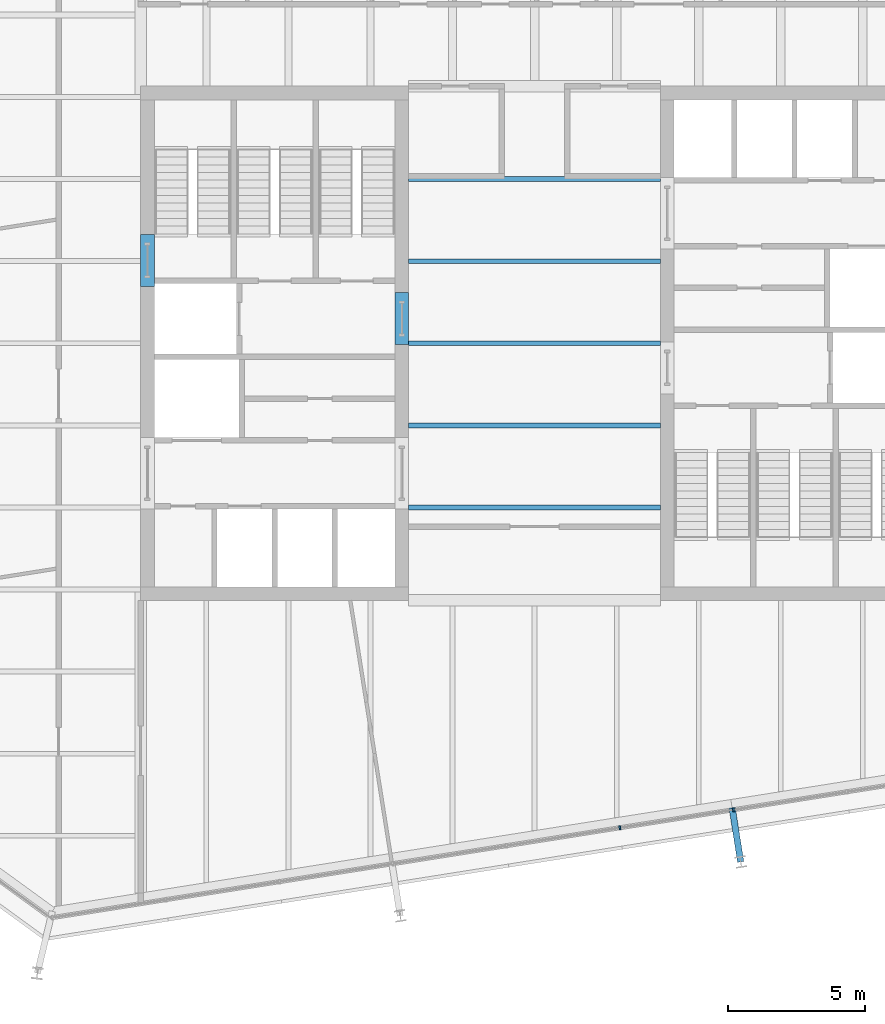
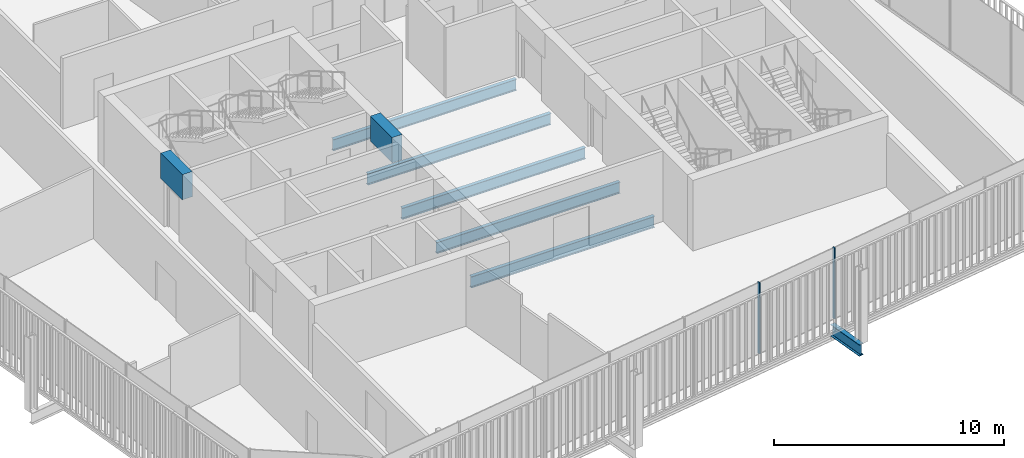
# One storey, part 7 of 20: 8 beams, 2 members, 1 element without a shape of its own.
"""IFC4 building model written with IfcOpenShell, lengths in metres."""

from ifc_helpers import new_model, si_unit, direction, frame, origin, origin_2d, place, context, subcontext, project, spatial, rectangle, i_section, extrude, material, layer, layer_set, material_profile, profile_set, type_object, element, aggregate, save


model = new_model("IFC4")

# Units and contexts
model_context = context("Model", 3, precision=1e-05, world=origin(), true_north=direction((0.0, 1.0)))
body_context = subcontext(model_context, "Body", "Model", "MODEL_VIEW")
ifc_project = project(units=[si_unit("LENGTHUNIT", "METRE"), si_unit("AREAUNIT", "SQUARE_METRE"), si_unit("VOLUMEUNIT", "CUBIC_METRE"), si_unit("PLANEANGLEUNIT", "RADIAN"), si_unit("MASSUNIT", "GRAM", prefix="KILO")], contexts=[model_context])

# Site, building, storey
site_placement = place(None, origin())
site = spatial("IfcSite", under=ifc_project, at=site_placement, CompositionType="ELEMENT")
building_placement = place(site_placement, origin())
building = spatial("IfcBuilding", under=site, at=building_placement, Name="Millrace Tower", CompositionType="ELEMENT")
storey_placement = place(building_placement, frame((0.0, 0.0, 208.60009765625)))
storey = spatial("IfcBuildingStorey", under=building, at=storey_placement, Name="L47", CompositionType="ELEMENT", Elevation=208.60009765625)

# Curtain wall, members
ifc_material_1 = material(Name="Aluminium and glass", Category="aluminium")
ifc_layer = layer(ifc_material_1, 0.14990234375)
ifc_layer_set = layer_set([ifc_layer], Name="Aluminium and glass")
curtain_wall_type = type_object("IfcCurtainWallType", Name="CW-1 office vision curtain wall", PredefinedType="NOTDEFINED", material=ifc_layer_set)
curtain_wall_placement = place(storey_placement, origin())
curtain_wall = element("IfcCurtainWall", 1, at=curtain_wall_placement, inside=storey, type_object=curtain_wall_type, Name="Curtain wall D-F02 L47", PredefinedType="NOTDEFINED")
ifc_material_2 = material(Name="Aluminium", Category="aluminium")
ifc_material_profile_1 = material_profile(ifc_material_2, rectangle(XDim=0.06494140625, YDim=0.14990234375, at=origin_2d()))
ifc_profile_set_1 = profile_set([ifc_material_profile_1], Name="Aluminium")
member_type = type_object("IfcMemberType", Name="CW-1 office vision curtain wall mullion", PredefinedType="MULLION", material=ifc_profile_set_1)
member_1_placement = place(storey_placement, frame((3.115966796875, -17.707275390625, 0.139892578125), z_axis=(0.0, 0.0, 1.0), x_axis=(0.987688339511, 0.156434471884, 0.0)))
member_1 = element("IfcMember", 2, at=member_1_placement, type_object=member_type, Name="CW1 mullion D-F02.6", PredefinedType="MULLION", context=body_context, shape_type="SweptSolid", body=[
    extrude(rectangle(XDim=0.06494140625, YDim=0.14990234375, at=origin_2d()), origin(), (0.0, 0.0, 1.0), 3.760009765625),
])
member_2_placement = place(storey_placement, frame((7.26416015625, -17.05029296875, 0.139892578125), z_axis=(0.0, 0.0, 1.0), x_axis=(0.987688339511, 0.156434471884, 0.0)))
member_2 = element("IfcMember", 3, at=member_2_placement, type_object=member_type, Name="CW1 mullion D-F02.7", PredefinedType="MULLION", context=body_context, shape_type="SweptSolid", body=[
    extrude(rectangle(XDim=0.06494140625, YDim=0.14990234375, at=origin_2d()), origin(), (0.0, 0.0, 1.0), 3.760009765625),
])
aggregate(curtain_wall, [member_1, member_2])

# Beams
ifc_material_3 = material(Name="Concrete C60", Category="concrete")
ifc_material_profile_2 = material_profile(ifc_material_3, rectangle(XDim=0.5, YDim=1.340087890625, at=origin_2d()))
ifc_profile_set_2 = profile_set([ifc_material_profile_2], Name="Concrete C60")
beam_type_1 = type_object("IfcBeamType", Name="Coupling beam 500 x 1340 Concrete C60, 1300 opening", PredefinedType="BEAM", material=ifc_profile_set_2)
beam_1_placement = place(storey_placement, frame((-14.14990234375, 2.080078125, 3.06982421875), z_axis=(0.0, 1.0, 0.0), x_axis=(-1.0, 0.0, 0.0)))
element("IfcBeam", 4, at=beam_1_placement, inside=storey, type_object=beam_type_1, Name="Coupling beam W L47", PredefinedType="BEAM", context=body_context, shape_type="SweptSolid", body=[
    extrude(rectangle(XDim=0.5, YDim=1.340087890625, at=origin_2d()), origin(), (0.0, 0.0, 1.0), 1.89990234375),
])
beam_2_placement = place(storey_placement, frame((-4.85009765625, -0.050048828125, 3.06982421875), z_axis=(0.0, 1.0, 0.0), x_axis=(-1.0, 0.0, 0.0)))
element("IfcBeam", 5, at=beam_2_placement, inside=storey, type_object=beam_type_1, Name="Coupling beam W L47", PredefinedType="BEAM", context=body_context, shape_type="SweptSolid", body=[
    extrude(rectangle(XDim=0.5, YDim=1.340087890625, at=origin_2d()), origin(), (0.0, 0.0, 1.0), 1.900146484375),
])
ifc_material_4 = material(Name="Steel ASTM A992 Grade 50", Category="steel")
ifc_material_profile_3 = material_profile(ifc_material_4, i_section(OverallWidth=0.177978515625, OverallDepth=0.599365234375, WebThickness=0.010009765625, FlangeThickness=0.012939453125, FilletRadius=0.012939453125, at=origin_2d()))
ifc_profile_set_3 = profile_set([ifc_material_profile_3], Name="Steel ASTM A992 Grade 50")
beam_type_2 = type_object("IfcBeamType", Name="Floor beam W24x55", PredefinedType="JOIST", material=ifc_profile_set_3)
for number, where, z_axis, x_axis, name in (
    (6, (-4.60009765625, -6.0, -0.459716796875), (1.0, 0.0, 0.0), (0.0, 1.0, 0.0), "BM-D-L47-S1-S008"),
    (7, (-4.60009765625, -3.0, -0.459716796875), (1.0, 0.0, 0.0), (0.0, 1.0, 0.0), "BM-D-L47-S1-S011"),
    (8, (-4.60009765625, 0.0, -0.459716796875), (1.0, 0.0, 0.0), (0.0, 1.0, 0.0), "BM-D-L47-S1-S014"),
    (9, (-4.60009765625, 3.0, -0.459716796875), (1.0, 0.0, 0.0), (0.0, 1.0, 0.0), "BM-D-L47-S1-S017"),
    (10, (-4.60009765625, 6.0, -0.459716796875), (1.0, 0.0, 0.0), (0.0, 1.0, 0.0), "BM-D-L47-S1-S020"),
):
    element("IfcBeam", number, at=place(storey_placement, frame(where, z_axis=z_axis, x_axis=x_axis)), inside=storey, type_object=beam_type_2, Name=name, PredefinedType="JOIST", context=body_context, shape_type="SweptSolid", body=[
        extrude(i_section(OverallWidth=0.177978515625, OverallDepth=0.599365234375, WebThickness=0.010009765625, FlangeThickness=0.012939453125, FilletRadius=0.012939453125, at=origin_2d()), origin(), (0.0, 0.0, 1.0), 9.2001953125),
    ])
ifc_material_5 = material(Name="Steel ASTM A992 Grade 50", Category="steel")
ifc_material_profile_4 = material_profile(ifc_material_5, i_section(OverallWidth=0.23046875, OverallDepth=0.6171875, WebThickness=0.01318359375, FlangeThickness=0.022216796875, FilletRadius=0.012939453125, at=origin_2d()))
ifc_profile_set_4 = profile_set([ifc_material_profile_4], Name="Steel ASTM A992 Grade 50")
beam_type_3 = type_object("IfcBeamType", Name="Link beam W24x94", PredefinedType="BEAM", material=ifc_profile_set_4)
beam_3_placement = place(storey_placement, frame((7.220458984375, -16.981201171875, -0.46875), z_axis=(0.156357438014, -0.987700537399, 0.0), x_axis=(0.987700537399, 0.156357438014, 0.0)))
element("IfcBeam", 11, at=beam_3_placement, inside=storey, type_object=beam_type_3, Name="LNK-D-L47-S1-14", PredefinedType="BEAM", context=body_context, shape_type="SweptSolid", body=[
    extrude(i_section(OverallWidth=0.23046875, OverallDepth=0.6171875, WebThickness=0.01318359375, FlangeThickness=0.022216796875, FilletRadius=0.012939453125, at=origin_2d()), origin(), (0.0, 0.0, 1.0), 2.000244140625),
])

save(model, "model.ifc")
